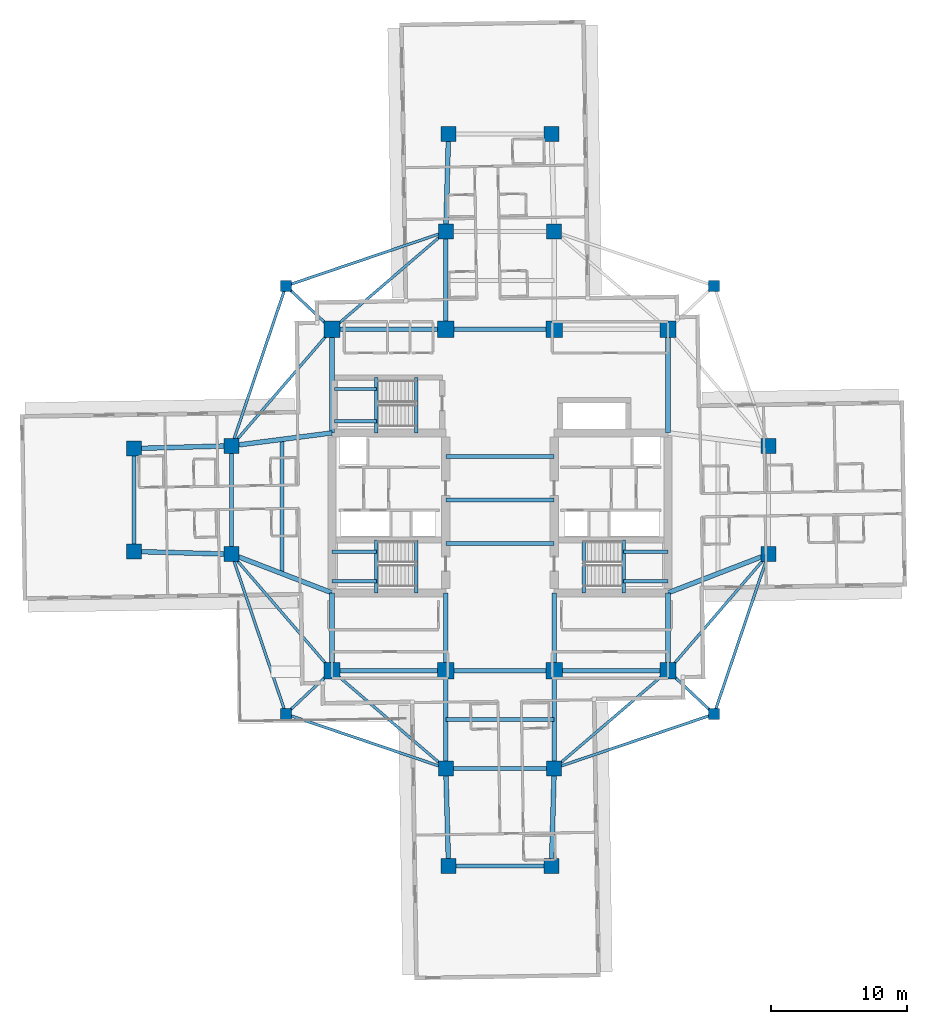
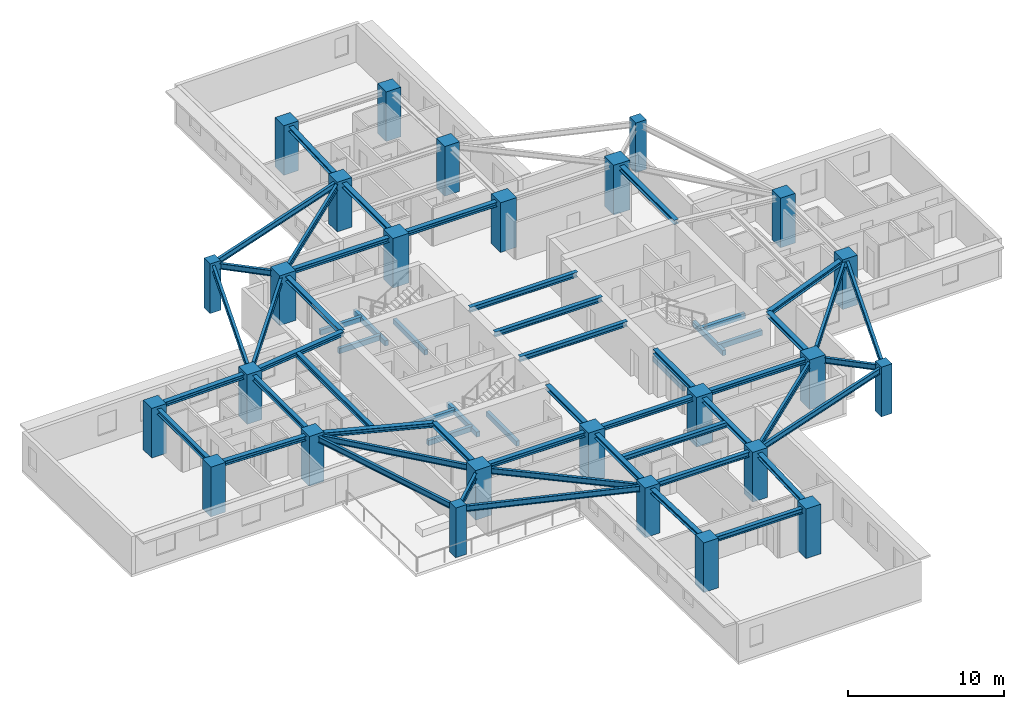
# One storey, part 1 of 14: 58 beams, 26 columns.
"""IFC4 building model written with IfcOpenShell, lengths in metres."""

from ifc_helpers import new_model, si_unit, direction, frame, origin, origin_2d, place, context, subcontext, project, spatial, rectangle, i_section, extrude, material, material_profile, profile_set, type_object, element, save


model = new_model("IFC4")

# Units and contexts
model_context = context("Model", 3, precision=1e-05, world=origin(), true_north=direction((0.0, 1.0)))
body_context = subcontext(model_context, "Body", "Model", "MODEL_VIEW")
ifc_project = project(units=[si_unit("LENGTHUNIT", "METRE"), si_unit("AREAUNIT", "SQUARE_METRE"), si_unit("VOLUMEUNIT", "CUBIC_METRE"), si_unit("PLANEANGLEUNIT", "RADIAN"), si_unit("MASSUNIT", "GRAM", prefix="KILO")], contexts=[model_context])

# Site, building, storey
site_placement = place(None, origin())
site = spatial("IfcSite", under=ifc_project, at=site_placement, CompositionType="ELEMENT")
building_placement = place(site_placement, origin())
building = spatial("IfcBuilding", under=site, at=building_placement, Name="Qingluan Cross Belvedere", CompositionType="ELEMENT")
storey_placement = place(building_placement, frame((0.0, 0.0, 108.60009765625)))
storey = spatial("IfcBuildingStorey", under=building, at=storey_placement, Name="L27", CompositionType="ELEMENT", Elevation=108.60009765625)

# Columns
ifc_material_1 = material(Name="Concrete C60", Category="concrete")
ifc_material_profile_1 = material_profile(ifc_material_1, rectangle(XDim=1.10009765625, YDim=1.10009765625, at=origin_2d()), Name="RC1100x1100")
ifc_profile_set_1 = profile_set([ifc_material_profile_1], Name="Concrete C60")
column_type_1 = type_object("IfcColumnType", Name="Column_RC1100x1100", PredefinedType="COLUMN", material=ifc_profile_set_1)
for number, where, z_axis, x_axis, name in (
    (1, (19.800048828125, -4.0, 0.0), (0.0, 0.0, 1.0), (1.0, 0.0, 0.0), "Arm column L27-EIA"),
    (2, (19.800048828125, 4.0, 0.0), (0.0, 0.0, 1.0), (1.0, 0.0, 0.0), "Arm column L27-EIB"),
    (3, (-19.800048828125, -4.0, 0.0), (0.0, 0.0, 1.0), (1.0, 0.0, 0.0), "Arm column L27-WIA"),
    (4, (-19.800048828125, 4.0, 0.0), (0.0, 0.0, 1.0), (1.0, 0.0, 0.0), "Arm column L27-WIB"),
    (5, (-4.0, -19.800048828125, 0.0), (0.0, 0.0, 1.0), (1.0, 0.0, 0.0), "Arm column L27-SIA"),
    (6, (4.0, -19.800048828125, 0.0), (0.0, 0.0, 1.0), (1.0, 0.0, 0.0), "Arm column L27-SIB"),
    (7, (-4.0, 19.800048828125, 0.0), (0.0, 0.0, 1.0), (1.0, 0.0, 0.0), "Arm column L27-NIA"),
    (8, (4.0, 19.800048828125, 0.0), (0.0, 0.0, 1.0), (1.0, 0.0, 0.0), "Arm column L27-NIB"),
    (9, (-27.0, -3.800048828125, 0.0), (0.0, 0.0, 1.0), (1.0, 0.0, 0.0), "Arm column L27-WOA"),
    (10, (-27.0, 3.800048828125, 0.0), (0.0, 0.0, 1.0), (1.0, 0.0, 0.0), "Arm column L27-WOB"),
    (11, (-3.800048828125, -27.0, 0.0), (0.0, 0.0, 1.0), (1.0, 0.0, 0.0), "Arm column L27-SOA"),
    (12, (3.800048828125, -27.0, 0.0), (0.0, 0.0, 1.0), (1.0, 0.0, 0.0), "Arm column L27-SOB"),
    (13, (-3.800048828125, 27.0, 0.0), (0.0, 0.0, 1.0), (1.0, 0.0, 0.0), "Arm column L27-NOA"),
    (14, (3.800048828125, 27.0, 0.0), (0.0, 0.0, 1.0), (1.0, 0.0, 0.0), "Arm column L27-NOB"),
):
    element("IfcColumn", number, at=place(storey_placement, frame(where, z_axis=z_axis, x_axis=x_axis)), inside=storey, type_object=column_type_1, Name=name, PredefinedType="COLUMN", context=body_context, shape_type="SweptSolid", body=[
        extrude(rectangle(XDim=1.10009765625, YDim=1.10009765625, at=origin_2d()), origin(), (0.0, 0.0, 1.0), 3.89990234375),
    ])
ifc_material_2 = material(Name="Concrete C60", Category="concrete")
ifc_material_profile_2 = material_profile(ifc_material_2, rectangle(XDim=1.199951171875, YDim=1.199951171875, at=origin_2d()), Name="RC1200x1200")
ifc_profile_set_2 = profile_set([ifc_material_profile_2], Name="Concrete C60")
column_type_2 = type_object("IfcColumnType", Name="Column_RC1200x1200", PredefinedType="COLUMN", material=ifc_profile_set_2)
for number, where, z_axis, x_axis, name in (
    (15, (-12.39990234375, -12.60009765625, 0.0), (0.0, 0.0, 1.0), (1.0, 0.0, 0.0), "Hub column L27-HC1"),
    (16, (12.39990234375, -12.60009765625, 0.0), (0.0, 0.0, 1.0), (1.0, 0.0, 0.0), "Hub column L27-HC2"),
    (17, (12.39990234375, 12.60009765625, 0.0), (0.0, 0.0, 1.0), (1.0, 0.0, 0.0), "Hub column L27-HC3"),
    (18, (-12.39990234375, 12.60009765625, 0.0), (0.0, 0.0, 1.0), (1.0, 0.0, 0.0), "Hub column L27-HC4"),
    (19, (-4.0, -12.60009765625, 0.0), (0.0, 0.0, 1.0), (1.0, 0.0, 0.0), "Hub column L27-HC5"),
    (20, (4.0, -12.60009765625, 0.0), (0.0, 0.0, 1.0), (1.0, 0.0, 0.0), "Hub column L27-HC6"),
    (21, (4.0, 12.60009765625, 0.0), (0.0, 0.0, 1.0), (1.0, 0.0, 0.0), "Hub column L27-HC7"),
    (22, (-4.0, 12.60009765625, 0.0), (0.0, 0.0, 1.0), (1.0, 0.0, 0.0), "Hub column L27-HC8"),
):
    element("IfcColumn", number, at=place(storey_placement, frame(where, z_axis=z_axis, x_axis=x_axis)), inside=storey, type_object=column_type_2, Name=name, PredefinedType="COLUMN", context=body_context, shape_type="SweptSolid", body=[
        extrude(rectangle(XDim=1.199951171875, YDim=1.199951171875, at=origin_2d()), origin(), (0.0, 0.0, 1.0), 3.89990234375),
    ])
ifc_material_3 = material(Name="Concrete C50", Category="concrete")
ifc_material_profile_3 = material_profile(ifc_material_3, rectangle(XDim=0.800048828125, YDim=0.800048828125, at=origin_2d()), Name="RC800x800")
ifc_profile_set_3 = profile_set([ifc_material_profile_3], Name="Concrete C50")
column_type_3 = type_object("IfcColumnType", Name="Column_RC800x800", PredefinedType="COLUMN", material=ifc_profile_set_3)
for number, where, z_axis, x_axis, name in (
    (23, (15.800048828125, 15.800048828125, 0.0), (0.0, 0.0, 1.0), (1.0, 0.0, 0.0), "Corner column L27-RNE"),
    (24, (-15.800048828125, 15.800048828125, 0.0), (0.0, 0.0, 1.0), (1.0, 0.0, 0.0), "Corner column L27-RNW"),
    (25, (-15.800048828125, -15.800048828125, 0.0), (0.0, 0.0, 1.0), (1.0, 0.0, 0.0), "Corner column L27-RSW"),
    (26, (15.800048828125, -15.800048828125, 0.0), (0.0, 0.0, 1.0), (1.0, 0.0, 0.0), "Corner column L27-RSE"),
):
    element("IfcColumn", number, at=place(storey_placement, frame(where, z_axis=z_axis, x_axis=x_axis)), inside=storey, type_object=column_type_3, Name=name, PredefinedType="COLUMN", context=body_context, shape_type="SweptSolid", body=[
        extrude(rectangle(XDim=0.800048828125, YDim=0.800048828125, at=origin_2d()), origin(), (0.0, 0.0, 1.0), 3.89990234375),
    ])

# Beams
ifc_material_4 = material(Name="Concrete C45", Category="concrete")
ifc_material_profile_4 = material_profile(ifc_material_4, rectangle(XDim=0.25, YDim=0.39990234375, at=origin_2d()), Name="RC250x400")
ifc_profile_set_4 = profile_set([ifc_material_profile_4], Name="Concrete C45")
beam_type_1 = type_object("IfcBeamType", Name="RC_Lintel_RC250x400", PredefinedType="LINTEL", material=ifc_profile_set_4)
for number, where, z_axis, x_axis, name in (
    (27, (-6.179931640625, -6.85009765625, -0.2001953125), (0.0, 1.0, 0.0), (-1.0, 0.0, 0.0), "Stair ST1 landing beam L27"),
    (28, (6.179931640625, -6.85009765625, -0.2001953125), (0.0, 1.0, 0.0), (-1.0, 0.0, 0.0), "Stair ST2 landing beam L27"),
):
    element("IfcBeam", number, at=place(storey_placement, frame(where, z_axis=z_axis, x_axis=x_axis)), inside=storey, type_object=beam_type_1, Name=name, PredefinedType="LINTEL", context=body_context, shape_type="SweptSolid", body=[
        extrude(rectangle(XDim=0.25, YDim=0.39990234375, at=origin_2d()), origin(), (0.0, 0.0, 1.0), 3.89013671875),
    ])
beam_1_placement = place(storey_placement, frame((-6.179931640625, 4.949951171875, -0.2001953125), z_axis=(0.0, 1.0, 0.0), x_axis=(-1.0, 0.0, 0.0)))
element("IfcBeam", 29, at=beam_1_placement, inside=storey, type_object=beam_type_1, Name="Stair ST3 landing beam L27", PredefinedType="LINTEL", context=body_context, shape_type="SweptSolid", body=[
    extrude(rectangle(XDim=0.25, YDim=0.39990234375, at=origin_2d()), origin(), (0.0, 0.0, 1.0), 4.090087890625),
])
beam_2_placement = place(storey_placement, frame((-9.1298828125, -6.85009765625, 1.5498046875), z_axis=(0.0, 1.0, 0.0), x_axis=(-1.0, 0.0, 0.0)))
element("IfcBeam", 30, at=beam_2_placement, inside=storey, type_object=beam_type_1, Name="Stair ST1 beam A L27", PredefinedType="LINTEL", context=body_context, shape_type="SweptSolid", body=[
    extrude(rectangle(XDim=0.25, YDim=0.39990234375, at=origin_2d()), origin(), (0.0, 0.0, 1.0), 3.89013671875),
])
for number, where, z_axis, x_axis, name in (
    (31, (-12.39990234375, -6.0, 1.5498046875), (1.0, 0.0, 0.0), (0.0, 1.0, 0.0), "Stair ST1 beam B L27"),
    (32, (-12.39990234375, -3.81005859375, 1.5498046875), (1.0, 0.0, 0.0), (0.0, 1.0, 0.0), "Stair ST1 beam C L27"),
):
    element("IfcBeam", number, at=place(storey_placement, frame(where, z_axis=z_axis, x_axis=x_axis)), inside=storey, type_object=beam_type_1, Name=name, PredefinedType="LINTEL", context=body_context, shape_type="SweptSolid", body=[
        extrude(rectangle(XDim=0.25, YDim=0.39990234375, at=origin_2d()), origin(), (0.0, 0.0, 1.0), 3.27001953125),
    ])
beam_3_placement = place(storey_placement, frame((9.1298828125, -6.85009765625, 1.5498046875), z_axis=(0.0, 1.0, 0.0), x_axis=(-1.0, 0.0, 0.0)))
element("IfcBeam", 33, at=beam_3_placement, inside=storey, type_object=beam_type_1, Name="Stair ST2 beam A L27", PredefinedType="LINTEL", context=body_context, shape_type="SweptSolid", body=[
    extrude(rectangle(XDim=0.25, YDim=0.39990234375, at=origin_2d()), origin(), (0.0, 0.0, 1.0), 3.89013671875),
])
for number, where, z_axis, x_axis, name in (
    (34, (12.39990234375, -6.0, 1.5498046875), (-1.0, 0.0, 0.0), (0.0, -1.0, 0.0), "Stair ST2 beam B L27"),
    (35, (12.39990234375, -3.81005859375, 1.5498046875), (-1.0, 0.0, 0.0), (0.0, -1.0, 0.0), "Stair ST2 beam C L27"),
):
    element("IfcBeam", number, at=place(storey_placement, frame(where, z_axis=z_axis, x_axis=x_axis)), inside=storey, type_object=beam_type_1, Name=name, PredefinedType="LINTEL", context=body_context, shape_type="SweptSolid", body=[
        extrude(rectangle(XDim=0.25, YDim=0.39990234375, at=origin_2d()), origin(), (0.0, 0.0, 1.0), 3.27001953125),
    ])
beam_4_placement = place(storey_placement, frame((-9.1298828125, 4.949951171875, 1.5498046875), z_axis=(0.0, 1.0, 0.0), x_axis=(-1.0, 0.0, 0.0)))
element("IfcBeam", 36, at=beam_4_placement, inside=storey, type_object=beam_type_1, Name="Stair ST3 beam A L27", PredefinedType="LINTEL", context=body_context, shape_type="SweptSolid", body=[
    extrude(rectangle(XDim=0.25, YDim=0.39990234375, at=origin_2d()), origin(), (0.0, 0.0, 1.0), 4.090087890625),
])
for number, where, z_axis, x_axis, name in (
    (37, (-12.219970703125, 5.800048828125, 1.5498046875), (1.0, 0.0, 0.0), (0.0, 1.0, 0.0), "Stair ST3 beam B L27"),
    (38, (-12.219970703125, 8.18994140625, 1.5498046875), (1.0, 0.0, 0.0), (0.0, 1.0, 0.0), "Stair ST3 beam C L27"),
):
    element("IfcBeam", number, at=place(storey_placement, frame(where, z_axis=z_axis, x_axis=x_axis)), inside=storey, type_object=beam_type_1, Name=name, PredefinedType="LINTEL", context=body_context, shape_type="SweptSolid", body=[
        extrude(rectangle(XDim=0.25, YDim=0.39990234375, at=origin_2d()), origin(), (0.0, 0.0, 1.0), 3.090087890625),
    ])
ifc_material_5 = material(Name="Steel Q420GJB", Category="steel")
ifc_material_profile_5 = material_profile(ifc_material_5, i_section(OverallWidth=0.300048828125, OverallDepth=0.389892578125, WebThickness=0.010009765625, FlangeThickness=0.01611328125, FilletRadius=0.01806640625, at=origin_2d()), Name="HM390x300x10x16")
ifc_profile_set_5 = profile_set([ifc_material_profile_5], Name="Steel Q420GJB")
beam_type_2 = type_object("IfcBeamType", Name="Steel_Beam_HM390x300x10x16", PredefinedType="BEAM", material=ifc_profile_set_5)
for number, where, z_axis, x_axis, name in (
    (39, (-4.0, -3.199951171875, 3.5048828125), (1.0, 0.0, 0.0), (0.0, 1.0, 0.0), "Hall beam L27-CH1"),
    (40, (-4.0, 0.0, 3.5048828125), (1.0, 0.0, 0.0), (0.0, 1.0, 0.0), "Hall beam L27-CH2"),
    (41, (-4.0, 3.199951171875, 3.5048828125), (1.0, 0.0, 0.0), (0.0, 1.0, 0.0), "Hall beam L27-CH3"),
    (42, (-19.800048828125, -4.0, 3.5048828125), (0.0, 1.0, 0.0), (-1.0, 0.0, 0.0), "Arm W tie L27"),
):
    element("IfcBeam", number, at=place(storey_placement, frame(where, z_axis=z_axis, x_axis=x_axis)), inside=storey, type_object=beam_type_2, Name=name, PredefinedType="BEAM", context=body_context, shape_type="SweptSolid", body=[
        extrude(i_section(OverallWidth=0.300048828125, OverallDepth=0.389892578125, WebThickness=0.010009765625, FlangeThickness=0.01611328125, FilletRadius=0.01806640625, at=origin_2d()), origin(), (0.0, 0.0, 1.0), 8.0),
    ])
beam_5_placement = place(storey_placement, frame((-16.10009765625, -5.425048828125, 3.5048828125), z_axis=(0.0, 1.0, 0.0), x_axis=(-1.0, 0.0, 0.0)))
element("IfcBeam", 43, at=beam_5_placement, inside=storey, type_object=beam_type_2, Name="Arm W beam L27", PredefinedType="BEAM", context=body_context, shape_type="SweptSolid", body=[
    extrude(i_section(OverallWidth=0.300048828125, OverallDepth=0.389892578125, WebThickness=0.010009765625, FlangeThickness=0.01611328125, FilletRadius=0.01806640625, at=origin_2d()), origin(), (0.0, 0.0, 1.0), 9.900146484375),
])
beam_6_placement = place(storey_placement, frame((-27.0, -3.800048828125, 3.5048828125), z_axis=(0.0, 1.0, 0.0), x_axis=(-1.0, 0.0, 0.0)))
element("IfcBeam", 44, at=beam_6_placement, inside=storey, type_object=beam_type_2, Name="Arm W tip transverse beam L27", PredefinedType="BEAM", context=body_context, shape_type="SweptSolid", body=[
    extrude(i_section(OverallWidth=0.300048828125, OverallDepth=0.389892578125, WebThickness=0.010009765625, FlangeThickness=0.01611328125, FilletRadius=0.01806640625, at=origin_2d()), origin(), (0.0, 0.0, 1.0), 7.60009765625),
])
for number, where, z_axis, x_axis, name in (
    (45, (-4.0, -19.800048828125, 3.5048828125), (1.0, 0.0, 0.0), (0.0, 1.0, 0.0), "Arm S tie L27"),
    (46, (-4.0, -16.199951171875, 3.5048828125), (1.0, 0.0, 0.0), (0.0, 1.0, 0.0), "Arm S beam L27"),
):
    element("IfcBeam", number, at=place(storey_placement, frame(where, z_axis=z_axis, x_axis=x_axis)), inside=storey, type_object=beam_type_2, Name=name, PredefinedType="BEAM", context=body_context, shape_type="SweptSolid", body=[
        extrude(i_section(OverallWidth=0.300048828125, OverallDepth=0.389892578125, WebThickness=0.010009765625, FlangeThickness=0.01611328125, FilletRadius=0.01806640625, at=origin_2d()), origin(), (0.0, 0.0, 1.0), 8.0),
    ])
beam_7_placement = place(storey_placement, frame((-3.800048828125, -27.0, 3.5048828125), z_axis=(1.0, 0.0, 0.0), x_axis=(0.0, 1.0, 0.0)))
element("IfcBeam", 47, at=beam_7_placement, inside=storey, type_object=beam_type_2, Name="Arm S tip transverse beam L27", PredefinedType="BEAM", context=body_context, shape_type="SweptSolid", body=[
    extrude(i_section(OverallWidth=0.300048828125, OverallDepth=0.389892578125, WebThickness=0.010009765625, FlangeThickness=0.01611328125, FilletRadius=0.01806640625, at=origin_2d()), origin(), (0.0, 0.0, 1.0), 7.60009765625),
])
ifc_material_6 = material(Name="Steel Q420GJB", Category="steel")
ifc_material_profile_6 = material_profile(ifc_material_6, i_section(OverallWidth=0.199951171875, OverallDepth=0.449951171875, WebThickness=0.009033203125, FlangeThickness=0.013916015625, FilletRadius=0.01611328125, at=origin_2d()), Name="HN450x200x9x14")
ifc_profile_set_6 = profile_set([ifc_material_profile_6], Name="Steel Q420GJB")
beam_type_3 = type_object("IfcBeamType", Name="Steel_Beam_HN450x200x9x14", PredefinedType="JOIST", material=ifc_profile_set_6)
beam_8_placement = place(storey_placement, frame((-12.39990234375, 12.60009765625, 3.474853515625), z_axis=(-0.728219948308, 0.685343495546, 0.0), x_axis=(-0.685343495546, -0.728219948308, 0.0)))
element("IfcBeam", 48, at=beam_8_placement, inside=storey, type_object=beam_type_3, Name="Corner beam 1 L27-RNW", PredefinedType="JOIST", context=body_context, shape_type="SweptSolid", body=[
    extrude(i_section(OverallWidth=0.199951171875, OverallDepth=0.449951171875, WebThickness=0.009033203125, FlangeThickness=0.013916015625, FilletRadius=0.01611328125, at=origin_2d()), origin(), (0.0, 0.0, 1.0), 4.669189453125),
])
for number, where, z_axis, x_axis, name in (
    (49, (-15.800048828125, 15.800048828125, 3.474853515625), (0.947066283324, 0.321038089628, 0.0), (-0.321038089628, 0.947066283324, 0.0), "Corner beam 2 L27-RNW"),
    (50, (-15.800048828125, 15.800048828125, 3.474853515625), (-0.321038089628, -0.947066283324, 0.0), (0.947066283324, -0.321038089628, 0.0), "Corner beam 3 L27-RNW"),
):
    element("IfcBeam", number, at=place(storey_placement, frame(where, z_axis=z_axis, x_axis=x_axis)), inside=storey, type_object=beam_type_3, Name=name, PredefinedType="JOIST", context=body_context, shape_type="SweptSolid", body=[
        extrude(i_section(OverallWidth=0.199951171875, OverallDepth=0.449951171875, WebThickness=0.009033203125, FlangeThickness=0.013916015625, FilletRadius=0.01611328125, at=origin_2d()), origin(), (0.0, 0.0, 1.0), 12.45947265625),
    ])
beam_9_placement = place(storey_placement, frame((-12.39990234375, 12.60009765625, 3.474853515625), z_axis=(-0.652245077546, -0.75800815221, 0.0), x_axis=(0.75800815221, -0.652245077546, 0.0)))
element("IfcBeam", 51, at=beam_9_placement, inside=storey, type_object=beam_type_3, Name="Corner beam 4 L27-RNW", PredefinedType="JOIST", context=body_context, shape_type="SweptSolid", body=[
    extrude(i_section(OverallWidth=0.199951171875, OverallDepth=0.449951171875, WebThickness=0.009033203125, FlangeThickness=0.013916015625, FilletRadius=0.01611328125, at=origin_2d()), origin(), (0.0, 0.0, 1.0), 11.345703125),
])
beam_10_placement = place(storey_placement, frame((-12.39990234375, 12.60009765625, 3.474853515625), z_axis=(0.759255044656, 0.650793190779, 0.0), x_axis=(-0.650793190779, 0.759255044656, 0.0)))
element("IfcBeam", 52, at=beam_10_placement, inside=storey, type_object=beam_type_3, Name="Corner beam 5 L27-RNW", PredefinedType="JOIST", context=body_context, shape_type="SweptSolid", body=[
    extrude(i_section(OverallWidth=0.199951171875, OverallDepth=0.449951171875, WebThickness=0.009033203125, FlangeThickness=0.013916015625, FilletRadius=0.01611328125, at=origin_2d()), origin(), (0.0, 0.0, 1.0), 11.063232421875),
])
beam_11_placement = place(storey_placement, frame((-12.39990234375, -12.60009765625, 3.454833984375), z_axis=(-0.728219948308, -0.685343495546, 0.0), x_axis=(0.685343495546, -0.728219948308, 0.0)))
element("IfcBeam", 53, at=beam_11_placement, inside=storey, type_object=beam_type_3, Name="Corner beam 1 L27-RSW", PredefinedType="JOIST", context=body_context, shape_type="SweptSolid", body=[
    extrude(i_section(OverallWidth=0.199951171875, OverallDepth=0.449951171875, WebThickness=0.009033203125, FlangeThickness=0.013916015625, FilletRadius=0.01611328125, at=origin_2d()), origin(), (0.0, 0.0, 1.0), 4.669189453125),
])
for number, where, z_axis, x_axis, name in (
    (54, (-15.800048828125, -15.800048828125, 3.454833984375), (0.947066283324, -0.321038089628, 0.0), (0.321038089628, 0.947066283324, 0.0), "Corner beam 2 L27-RSW"),
    (55, (-15.800048828125, -15.800048828125, 3.454833984375), (-0.321038089628, 0.947066283324, 0.0), (-0.947066283324, -0.321038089628, 0.0), "Corner beam 3 L27-RSW"),
):
    element("IfcBeam", number, at=place(storey_placement, frame(where, z_axis=z_axis, x_axis=x_axis)), inside=storey, type_object=beam_type_3, Name=name, PredefinedType="JOIST", context=body_context, shape_type="SweptSolid", body=[
        extrude(i_section(OverallWidth=0.199951171875, OverallDepth=0.449951171875, WebThickness=0.009033203125, FlangeThickness=0.013916015625, FilletRadius=0.01611328125, at=origin_2d()), origin(), (0.0, 0.0, 1.0), 12.45947265625),
    ])
beam_12_placement = place(storey_placement, frame((-12.39990234375, -12.60009765625, 3.454833984375), z_axis=(-0.652245077546, 0.75800815221, 0.0), x_axis=(-0.75800815221, -0.652245077546, 0.0)))
element("IfcBeam", 56, at=beam_12_placement, inside=storey, type_object=beam_type_3, Name="Corner beam 4 L27-RSW", PredefinedType="JOIST", context=body_context, shape_type="SweptSolid", body=[
    extrude(i_section(OverallWidth=0.199951171875, OverallDepth=0.449951171875, WebThickness=0.009033203125, FlangeThickness=0.013916015625, FilletRadius=0.01611328125, at=origin_2d()), origin(), (0.0, 0.0, 1.0), 11.345703125),
])
beam_13_placement = place(storey_placement, frame((-12.39990234375, -12.60009765625, 3.454833984375), z_axis=(0.759255044656, -0.650793190779, 0.0), x_axis=(0.650793190779, 0.759255044656, 0.0)))
element("IfcBeam", 57, at=beam_13_placement, inside=storey, type_object=beam_type_3, Name="Corner beam 5 L27-RSW", PredefinedType="JOIST", context=body_context, shape_type="SweptSolid", body=[
    extrude(i_section(OverallWidth=0.199951171875, OverallDepth=0.449951171875, WebThickness=0.009033203125, FlangeThickness=0.013916015625, FilletRadius=0.01611328125, at=origin_2d()), origin(), (0.0, 0.0, 1.0), 11.063232421875),
])
beam_14_placement = place(storey_placement, frame((12.39990234375, -12.60009765625, 3.474853515625), z_axis=(0.728219948308, -0.685343495546, 0.0), x_axis=(0.685343495546, 0.728219948308, 0.0)))
element("IfcBeam", 58, at=beam_14_placement, inside=storey, type_object=beam_type_3, Name="Corner beam 1 L27-RSE", PredefinedType="JOIST", context=body_context, shape_type="SweptSolid", body=[
    extrude(i_section(OverallWidth=0.199951171875, OverallDepth=0.449951171875, WebThickness=0.009033203125, FlangeThickness=0.013916015625, FilletRadius=0.01611328125, at=origin_2d()), origin(), (0.0, 0.0, 1.0), 4.669189453125),
])
for number, where, z_axis, x_axis, name in (
    (59, (15.800048828125, -15.800048828125, 3.474853515625), (-0.947066283324, -0.321038089628, 0.0), (0.321038089628, -0.947066283324, 0.0), "Corner beam 2 L27-RSE"),
    (60, (15.800048828125, -15.800048828125, 3.474853515625), (0.321038089628, 0.947066283324, 0.0), (-0.947066283324, 0.321038089628, 0.0), "Corner beam 3 L27-RSE"),
):
    element("IfcBeam", number, at=place(storey_placement, frame(where, z_axis=z_axis, x_axis=x_axis)), inside=storey, type_object=beam_type_3, Name=name, PredefinedType="JOIST", context=body_context, shape_type="SweptSolid", body=[
        extrude(i_section(OverallWidth=0.199951171875, OverallDepth=0.449951171875, WebThickness=0.009033203125, FlangeThickness=0.013916015625, FilletRadius=0.01611328125, at=origin_2d()), origin(), (0.0, 0.0, 1.0), 12.45947265625),
    ])
beam_15_placement = place(storey_placement, frame((12.39990234375, -12.60009765625, 3.474853515625), z_axis=(0.652245077546, 0.75800815221, 0.0), x_axis=(-0.75800815221, 0.652245077546, 0.0)))
element("IfcBeam", 61, at=beam_15_placement, inside=storey, type_object=beam_type_3, Name="Corner beam 4 L27-RSE", PredefinedType="JOIST", context=body_context, shape_type="SweptSolid", body=[
    extrude(i_section(OverallWidth=0.199951171875, OverallDepth=0.449951171875, WebThickness=0.009033203125, FlangeThickness=0.013916015625, FilletRadius=0.01611328125, at=origin_2d()), origin(), (0.0, 0.0, 1.0), 11.345703125),
])
beam_16_placement = place(storey_placement, frame((12.39990234375, -12.60009765625, 3.474853515625), z_axis=(-0.759255044656, -0.650793190779, 0.0), x_axis=(0.650793190779, -0.759255044656, 0.0)))
element("IfcBeam", 62, at=beam_16_placement, inside=storey, type_object=beam_type_3, Name="Corner beam 5 L27-RSE", PredefinedType="JOIST", context=body_context, shape_type="SweptSolid", body=[
    extrude(i_section(OverallWidth=0.199951171875, OverallDepth=0.449951171875, WebThickness=0.009033203125, FlangeThickness=0.013916015625, FilletRadius=0.01611328125, at=origin_2d()), origin(), (0.0, 0.0, 1.0), 11.063232421875),
])
ifc_material_7 = material(Name="Steel Q420GJB", Category="steel")
ifc_material_profile_7 = material_profile(ifc_material_7, i_section(OverallWidth=0.35009765625, OverallDepth=0.35009765625, WebThickness=0.011962890625, FlangeThickness=0.01904296875, FilletRadius=0.02001953125, at=origin_2d()), Name="HW350x350x12x19")
ifc_profile_set_7 = profile_set([ifc_material_profile_7], Name="Steel Q420GJB")
beam_type_4 = type_object("IfcBeamType", Name="Steel_Girder_HW350x350x12x19", PredefinedType="USERDEFINED", material=ifc_profile_set_7)
beam_17_placement = place(storey_placement, frame((-12.39990234375, -12.60009765625, 3.52490234375), z_axis=(1.0, 0.0, 0.0), x_axis=(0.0, 1.0, 0.0)))
element("IfcBeam", 63, at=beam_17_placement, inside=storey, type_object=beam_type_4, Name="Hub girder L27-HG-S1", ObjectType="GIRDER", PredefinedType="USERDEFINED", context=body_context, shape_type="SweptSolid", body=[
    extrude(i_section(OverallWidth=0.35009765625, OverallDepth=0.35009765625, WebThickness=0.011962890625, FlangeThickness=0.01904296875, FilletRadius=0.02001953125, at=origin_2d()), origin(), (0.0, 0.0, 1.0), 8.39990234375),
])
beam_18_placement = place(storey_placement, frame((-4.0, -12.60009765625, 3.52490234375), z_axis=(1.0, 0.0, 0.0), x_axis=(0.0, 1.0, 0.0)))
element("IfcBeam", 64, at=beam_18_placement, inside=storey, type_object=beam_type_4, Name="Hub girder L27-HG-S2", ObjectType="GIRDER", PredefinedType="USERDEFINED", context=body_context, shape_type="SweptSolid", body=[
    extrude(i_section(OverallWidth=0.35009765625, OverallDepth=0.35009765625, WebThickness=0.011962890625, FlangeThickness=0.01904296875, FilletRadius=0.02001953125, at=origin_2d()), origin(), (0.0, 0.0, 1.0), 8.0),
])
for number, where, z_axis, x_axis, name in (
    (65, (4.0, -12.60009765625, 3.52490234375), (1.0, 0.0, 0.0), (0.0, 1.0, 0.0), "Hub girder L27-HG-S3"),
    (66, (-12.39990234375, 12.60009765625, 3.52490234375), (1.0, 0.0, 0.0), (0.0, 1.0, 0.0), "Hub girder L27-HG-N1"),
):
    element("IfcBeam", number, at=place(storey_placement, frame(where, z_axis=z_axis, x_axis=x_axis)), inside=storey, type_object=beam_type_4, Name=name, ObjectType="GIRDER", PredefinedType="USERDEFINED", context=body_context, shape_type="SweptSolid", body=[
        extrude(i_section(OverallWidth=0.35009765625, OverallDepth=0.35009765625, WebThickness=0.011962890625, FlangeThickness=0.01904296875, FilletRadius=0.02001953125, at=origin_2d()), origin(), (0.0, 0.0, 1.0), 8.39990234375),
    ])
beam_19_placement = place(storey_placement, frame((-4.0, 12.60009765625, 3.52490234375), z_axis=(1.0, 0.0, 0.0), x_axis=(0.0, 1.0, 0.0)))
element("IfcBeam", 67, at=beam_19_placement, inside=storey, type_object=beam_type_4, Name="Hub girder L27-HG-N2", ObjectType="GIRDER", PredefinedType="USERDEFINED", context=body_context, shape_type="SweptSolid", body=[
    extrude(i_section(OverallWidth=0.35009765625, OverallDepth=0.35009765625, WebThickness=0.011962890625, FlangeThickness=0.01904296875, FilletRadius=0.02001953125, at=origin_2d()), origin(), (0.0, 0.0, 1.0), 8.0),
])
beam_20_placement = place(storey_placement, frame((-12.39990234375, -12.60009765625, 3.52490234375), z_axis=(0.0, 1.0, 0.0), x_axis=(-1.0, 0.0, 0.0)))
element("IfcBeam", 68, at=beam_20_placement, inside=storey, type_object=beam_type_4, Name="Hub girder L27-HG-W1", ObjectType="GIRDER", PredefinedType="USERDEFINED", context=body_context, shape_type="SweptSolid", body=[
    extrude(i_section(OverallWidth=0.35009765625, OverallDepth=0.35009765625, WebThickness=0.011962890625, FlangeThickness=0.01904296875, FilletRadius=0.02001953125, at=origin_2d()), origin(), (0.0, 0.0, 1.0), 5.75),
])
beam_21_placement = place(storey_placement, frame((-12.39990234375, 4.949951171875, 3.52490234375), z_axis=(0.0, 1.0, 0.0), x_axis=(-1.0, 0.0, 0.0)))
element("IfcBeam", 69, at=beam_21_placement, inside=storey, type_object=beam_type_4, Name="Hub girder L27-HG-W2", ObjectType="GIRDER", PredefinedType="USERDEFINED", context=body_context, shape_type="SweptSolid", body=[
    extrude(i_section(OverallWidth=0.35009765625, OverallDepth=0.35009765625, WebThickness=0.011962890625, FlangeThickness=0.01904296875, FilletRadius=0.02001953125, at=origin_2d()), origin(), (0.0, 0.0, 1.0), 7.650146484375),
])
beam_22_placement = place(storey_placement, frame((12.39990234375, -12.60009765625, 3.52490234375), z_axis=(0.0, 1.0, 0.0), x_axis=(-1.0, 0.0, 0.0)))
element("IfcBeam", 70, at=beam_22_placement, inside=storey, type_object=beam_type_4, Name="Hub girder L27-HG-E1", ObjectType="GIRDER", PredefinedType="USERDEFINED", context=body_context, shape_type="SweptSolid", body=[
    extrude(i_section(OverallWidth=0.35009765625, OverallDepth=0.35009765625, WebThickness=0.011962890625, FlangeThickness=0.01904296875, FilletRadius=0.02001953125, at=origin_2d()), origin(), (0.0, 0.0, 1.0), 5.75),
])
beam_23_placement = place(storey_placement, frame((12.39990234375, 4.949951171875, 3.52490234375), z_axis=(0.0, 1.0, 0.0), x_axis=(-1.0, 0.0, 0.0)))
element("IfcBeam", 71, at=beam_23_placement, inside=storey, type_object=beam_type_4, Name="Hub girder L27-HG-E2", ObjectType="GIRDER", PredefinedType="USERDEFINED", context=body_context, shape_type="SweptSolid", body=[
    extrude(i_section(OverallWidth=0.35009765625, OverallDepth=0.35009765625, WebThickness=0.011962890625, FlangeThickness=0.01904296875, FilletRadius=0.02001953125, at=origin_2d()), origin(), (0.0, 0.0, 1.0), 7.650146484375),
])
for number, where, z_axis, x_axis, name in (
    (72, (-4.0, -12.60009765625, 3.52490234375), (0.0, 1.0, 0.0), (-1.0, 0.0, 0.0), "Hub girder L27-HG-CW"),
    (73, (4.0, -12.60009765625, 3.52490234375), (0.0, 1.0, 0.0), (-1.0, 0.0, 0.0), "Hub girder L27-HG-CE"),
):
    element("IfcBeam", number, at=place(storey_placement, frame(where, z_axis=z_axis, x_axis=x_axis)), inside=storey, type_object=beam_type_4, Name=name, ObjectType="GIRDER", PredefinedType="USERDEFINED", context=body_context, shape_type="SweptSolid", body=[
        extrude(i_section(OverallWidth=0.35009765625, OverallDepth=0.35009765625, WebThickness=0.011962890625, FlangeThickness=0.01904296875, FilletRadius=0.02001953125, at=origin_2d()), origin(), (0.0, 0.0, 1.0), 5.75),
    ])
for number, where, z_axis, x_axis, name in (
    (74, (12.39990234375, -6.85009765625, 3.52490234375), (0.933181258889, 0.359406090735, 0.0), (-0.359406090735, 0.933181258889, 0.0), "Arm E radial girder A L27"),
    (75, (-12.39990234375, -6.85009765625, 3.52490234375), (-0.933181258889, 0.359406090735, 0.0), (-0.359406090735, -0.933181258889, 0.0), "Arm W radial girder A L27"),
):
    element("IfcBeam", number, at=place(storey_placement, frame(where, z_axis=z_axis, x_axis=x_axis)), inside=storey, type_object=beam_type_4, Name=name, ObjectType="GIRDER", PredefinedType="USERDEFINED", context=body_context, shape_type="SweptSolid", body=[
        extrude(i_section(OverallWidth=0.35009765625, OverallDepth=0.35009765625, WebThickness=0.011962890625, FlangeThickness=0.01904296875, FilletRadius=0.02001953125, at=origin_2d()), origin(), (0.0, 0.0, 1.0), 7.929931640625),
    ])
beam_24_placement = place(storey_placement, frame((-12.39990234375, 4.949951171875, 3.52490234375), z_axis=(-0.991861120628, -0.12732445714, 0.0), x_axis=(0.12732445714, -0.991861120628, 0.0)))
element("IfcBeam", 76, at=beam_24_placement, inside=storey, type_object=beam_type_4, Name="Arm W radial girder B L27", ObjectType="GIRDER", PredefinedType="USERDEFINED", context=body_context, shape_type="SweptSolid", body=[
    extrude(i_section(OverallWidth=0.35009765625, OverallDepth=0.35009765625, WebThickness=0.011962890625, FlangeThickness=0.01904296875, FilletRadius=0.02001953125, at=origin_2d()), origin(), (0.0, 0.0, 1.0), 7.4609375),
])
for number, where, z_axis, x_axis, name in (
    (77, (-19.800048828125, -4.0, 3.52490234375), (-0.999614603568, 0.027760481514, 0.0), (-0.027760481514, -0.999614603568, 0.0), "Arm W outer radial girder A L27"),
    (78, (-19.800048828125, 4.0, 3.52490234375), (-0.999614603568, -0.027760481514, 0.0), (0.027760481514, -0.999614603568, 0.0), "Arm W outer radial girder B L27"),
):
    element("IfcBeam", number, at=place(storey_placement, frame(where, z_axis=z_axis, x_axis=x_axis)), inside=storey, type_object=beam_type_4, Name=name, ObjectType="GIRDER", PredefinedType="USERDEFINED", context=body_context, shape_type="SweptSolid", body=[
        extrude(i_section(OverallWidth=0.35009765625, OverallDepth=0.35009765625, WebThickness=0.011962890625, FlangeThickness=0.01904296875, FilletRadius=0.02001953125, at=origin_2d()), origin(), (0.0, 0.0, 1.0), 7.20263671875),
    ])
beam_25_placement = place(storey_placement, frame((-4.0, 12.60009765625, 3.52490234375), z_axis=(0.0, 1.0, 0.0), x_axis=(-1.0, 0.0, 0.0)))
element("IfcBeam", 79, at=beam_25_placement, inside=storey, type_object=beam_type_4, Name="Arm N radial girder A L27", ObjectType="GIRDER", PredefinedType="USERDEFINED", context=body_context, shape_type="SweptSolid", body=[
    extrude(i_section(OverallWidth=0.35009765625, OverallDepth=0.35009765625, WebThickness=0.011962890625, FlangeThickness=0.01904296875, FilletRadius=0.02001953125, at=origin_2d()), origin(), (0.0, 0.0, 1.0), 7.199951171875),
])
beam_26_placement = place(storey_placement, frame((-4.0, 19.800048828125, 3.52490234375), z_axis=(0.027760481514, 0.999614603568, 0.0), x_axis=(-0.999614603568, 0.027760481514, 0.0)))
element("IfcBeam", 80, at=beam_26_placement, inside=storey, type_object=beam_type_4, Name="Arm N outer radial girder A L27", ObjectType="GIRDER", PredefinedType="USERDEFINED", context=body_context, shape_type="SweptSolid", body=[
    extrude(i_section(OverallWidth=0.35009765625, OverallDepth=0.35009765625, WebThickness=0.011962890625, FlangeThickness=0.01904296875, FilletRadius=0.02001953125, at=origin_2d()), origin(), (0.0, 0.0, 1.0), 7.20263671875),
])
for number, where, z_axis, x_axis, name in (
    (81, (-4.0, -12.60009765625, 3.52490234375), (0.0, -1.0, 0.0), (1.0, 0.0, 0.0), "Arm S radial girder A L27"),
    (82, (4.0, -12.60009765625, 3.52490234375), (0.0, -1.0, 0.0), (1.0, 0.0, 0.0), "Arm S radial girder B L27"),
):
    element("IfcBeam", number, at=place(storey_placement, frame(where, z_axis=z_axis, x_axis=x_axis)), inside=storey, type_object=beam_type_4, Name=name, ObjectType="GIRDER", PredefinedType="USERDEFINED", context=body_context, shape_type="SweptSolid", body=[
        extrude(i_section(OverallWidth=0.35009765625, OverallDepth=0.35009765625, WebThickness=0.011962890625, FlangeThickness=0.01904296875, FilletRadius=0.02001953125, at=origin_2d()), origin(), (0.0, 0.0, 1.0), 7.199951171875),
    ])
for number, where, z_axis, x_axis, name in (
    (83, (-4.0, -19.800048828125, 3.52490234375), (0.027760481514, -0.999614603568, 0.0), (0.999614603568, 0.027760481514, 0.0), "Arm S outer radial girder A L27"),
    (84, (4.0, -19.800048828125, 3.52490234375), (-0.027760481514, -0.999614603568, 0.0), (0.999614603568, -0.027760481514, 0.0), "Arm S outer radial girder B L27"),
):
    element("IfcBeam", number, at=place(storey_placement, frame(where, z_axis=z_axis, x_axis=x_axis)), inside=storey, type_object=beam_type_4, Name=name, ObjectType="GIRDER", PredefinedType="USERDEFINED", context=body_context, shape_type="SweptSolid", body=[
        extrude(i_section(OverallWidth=0.35009765625, OverallDepth=0.35009765625, WebThickness=0.011962890625, FlangeThickness=0.01904296875, FilletRadius=0.02001953125, at=origin_2d()), origin(), (0.0, 0.0, 1.0), 7.20263671875),
    ])

save(model, "model.ifc")
